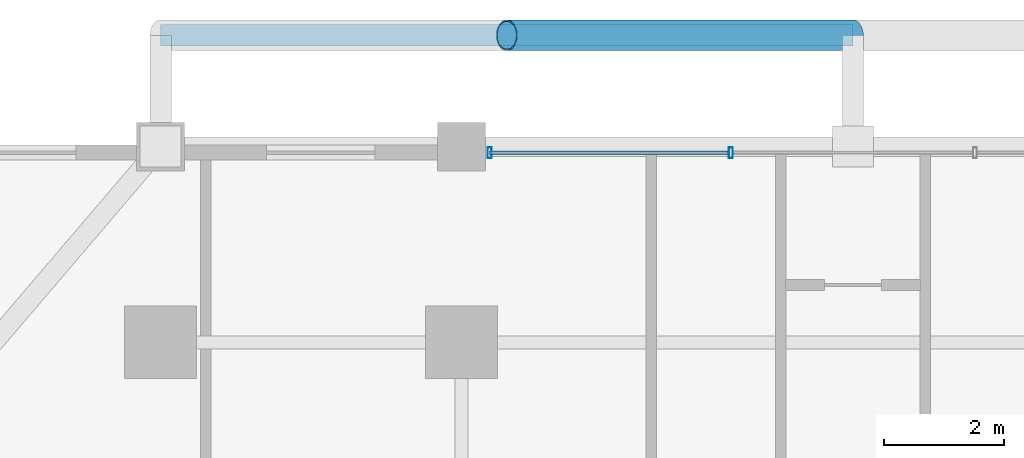
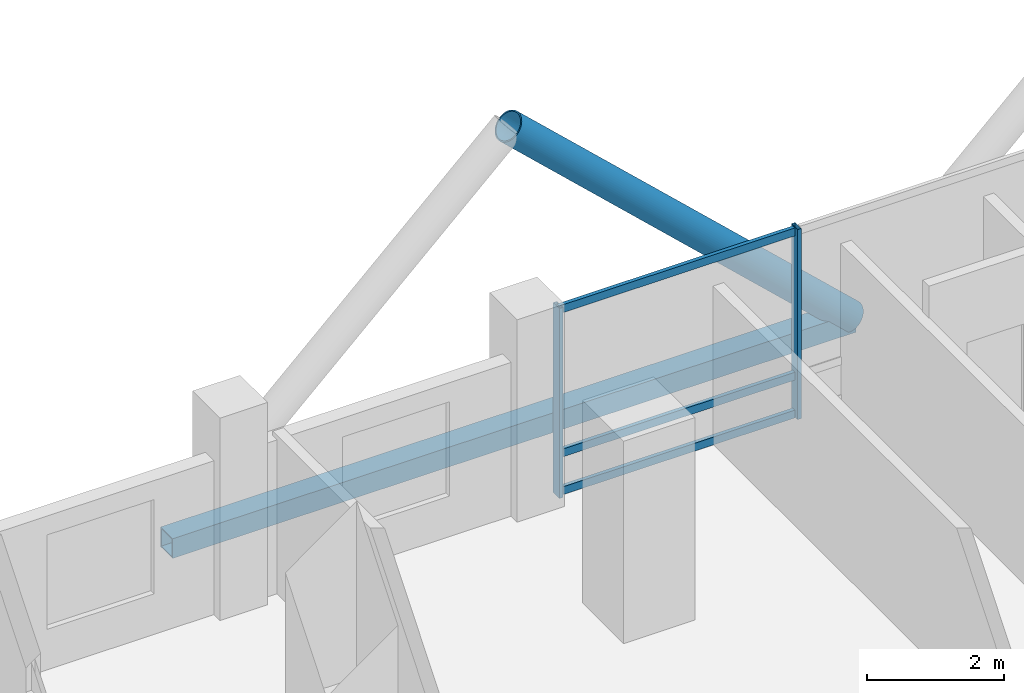
# One storey, part 14 of 24: 7 members, 1 element without a shape of its own.
"""IFC4 building model written with IfcOpenShell, lengths in metres."""

from ifc_helpers import new_model, si_unit, direction, frame, origin, origin_2d, place, context, subcontext, project, spatial, hollow_rectangle, hollow_circle, extrude, material, layer, layer_set, material_profile, profile_set, type_object, element, aggregate, save


model = new_model("IFC4")

# Units and contexts
model_context = context("Model", 3, precision=1e-05, world=origin(), true_north=direction((0.0, 1.0)))
body_context = subcontext(model_context, "Body", "Model", "MODEL_VIEW")
ifc_project = project(units=[si_unit("LENGTHUNIT", "METRE"), si_unit("AREAUNIT", "SQUARE_METRE"), si_unit("VOLUMEUNIT", "CUBIC_METRE"), si_unit("PLANEANGLEUNIT", "RADIAN"), si_unit("MASSUNIT", "GRAM", prefix="KILO")], contexts=[model_context])

# Site, building, storey
site_placement = place(None, origin())
site = spatial("IfcSite", under=ifc_project, at=site_placement, CompositionType="ELEMENT")
building_placement = place(site_placement, origin())
building = spatial("IfcBuilding", under=site, at=building_placement, Name="Barlavira Tower and Art Museum", CompositionType="ELEMENT")
storey_placement = place(building_placement, frame((0.0, 0.0, 154.800048828125)))
storey = spatial("IfcBuildingStorey", under=building, at=storey_placement, Name="L39", CompositionType="ELEMENT", Elevation=154.800048828125)

# Curtain wall, members
ifc_material_1 = material(Name="Low-iron coastal laminated glass", Category="glass")
ifc_layer = layer(ifc_material_1, 0.18994140625, Name="Low-iron coastal laminated glass")
ifc_layer_set = layer_set([ifc_layer], Name="Low-iron coastal laminated glass")
curtain_wall_type = type_object("IfcCurtainWallType", Name="Pale-Metal Unitised Curtain Wall Zone 2", PredefinedType="NOTDEFINED", material=ifc_layer_set)
curtain_wall_placement = place(storey_placement, origin())
curtain_wall = element("IfcCurtainWall", 1, at=curtain_wall_placement, inside=storey, type_object=curtain_wall_type, Name="L39 Curtain Wall CW2-L39-N-B3", PredefinedType="NOTDEFINED")
ifc_material_2 = material(Name="Pale anodised aluminium", Category="aluminium")
ifc_material_profile_1 = material_profile(ifc_material_2, hollow_rectangle(XDim=0.06494140625, YDim=0.179931640625, WallThickness=0.00390625, at=origin_2d()), Name="ALU-MULL 65x180x4")
ifc_profile_set_1 = profile_set([ifc_material_profile_1], Name="Pale anodised aluminium")
member_type_1 = type_object("IfcMemberType", Name="Curtain Wall Pale-Metal Mullion 65x180", PredefinedType="MULLION", material=ifc_profile_set_1)
member_1_placement = place(storey_placement, frame((-2.026611328125, 23.14990234375, 0.0), z_axis=(0.0, 0.0, 1.0), x_axis=(-1.0, 0.0, 0.0)))
member_1 = element("IfcMember", 2, at=member_1_placement, type_object=member_type_1, Name="CW2-L39-N-B3 Mullion 2", PredefinedType="MULLION", context=body_context, shape_type="SweptSolid", body=[
    extrude(hollow_rectangle(XDim=0.06494140625, YDim=0.179931640625, WallThickness=0.00390625, at=origin_2d()), origin(), (0.0, 0.0, 1.0), 3.3798828125),
])
member_2_placement = place(storey_placement, frame((-6.034912109375, 23.14990234375, 0.0), z_axis=(0.0, 0.0, 1.0), x_axis=(-1.0, 0.0, 0.0)))
member_2 = element("IfcMember", 3, at=member_2_placement, type_object=member_type_1, Name="CW2-L39-N-B3 Mullion 3", PredefinedType="MULLION", context=body_context, shape_type="SweptSolid", body=[
    extrude(hollow_rectangle(XDim=0.06494140625, YDim=0.179931640625, WallThickness=0.00390625, at=origin_2d()), origin(), (0.0, 0.0, 1.0), 3.3798828125),
])
ifc_material_profile_2 = material_profile(ifc_material_2, hollow_rectangle(XDim=0.06494140625, YDim=0.139892578125, WallThickness=0.00390625, at=origin_2d()), Name="ALU-TRAN 65x140x4")
ifc_profile_set_2 = profile_set([ifc_material_profile_2], Name="Pale anodised aluminium")
member_type_2 = type_object("IfcMemberType", Name="Curtain Wall Pale-Metal Transom 65x140", PredefinedType="USERDEFINED", material=ifc_profile_set_2)
member_3_placement = place(storey_placement, frame((-2.07177734375, 23.14990234375, 0.070068359375), z_axis=(-1.0, 0.0, 0.0), x_axis=(0.0, -1.0, 0.0)))
member_3 = element("IfcMember", 4, at=member_3_placement, type_object=member_type_2, Name="CW2-L39-N-B3 Transom 2.1", ObjectType="TRANSOM", PredefinedType="USERDEFINED", context=body_context, shape_type="SweptSolid", body=[
    extrude(hollow_rectangle(XDim=0.06494140625, YDim=0.139892578125, WallThickness=0.00390625, at=origin_2d()), origin(), (0.0, 0.0, 1.0), 3.963134765625),
])
member_4_placement = place(storey_placement, frame((-2.07177734375, 23.14990234375, 0.743896484375), z_axis=(-1.0, 0.0, 0.0), x_axis=(0.0, -1.0, 0.0)))
member_4 = element("IfcMember", 5, at=member_4_placement, type_object=member_type_2, Name="CW2-L39-N-B3 Transom 2.2", ObjectType="TRANSOM", PredefinedType="USERDEFINED", context=body_context, shape_type="SweptSolid", body=[
    extrude(hollow_rectangle(XDim=0.06494140625, YDim=0.139892578125, WallThickness=0.00390625, at=origin_2d()), origin(), (0.0, 0.0, 1.0), 3.963134765625),
])
member_5_placement = place(storey_placement, frame((-2.07177734375, 23.14990234375, 3.31005859375), z_axis=(-1.0, 0.0, 0.0), x_axis=(0.0, -1.0, 0.0)))
member_5 = element("IfcMember", 6, at=member_5_placement, type_object=member_type_2, Name="CW2-L39-N-B3 Transom 2.3", ObjectType="TRANSOM", PredefinedType="USERDEFINED", context=body_context, shape_type="SweptSolid", body=[
    extrude(hollow_rectangle(XDim=0.06494140625, YDim=0.139892578125, WallThickness=0.00390625, at=origin_2d()), origin(), (0.0, 0.0, 1.0), 3.963134765625),
])
aggregate(curtain_wall, [member_1, member_2, member_3, member_4, member_5])

# Members
ifc_material_3 = material(Name="Steel S355", Category="steel")
ifc_material_profile_3 = material_profile(ifc_material_3, hollow_circle(Radius=0.25390625, WallThickness=0.022216796875, at=origin_2d()), Name="CHS 508.0x22.2")
ifc_profile_set_3 = profile_set([ifc_material_profile_3], Name="Steel S355")
member_type_3 = type_object("IfcMemberType", Name="Pale-Metal Exoskeleton Diagrid Tube CHS 508x22 Steel S355", PredefinedType="BRACE", material=ifc_profile_set_3)
member_6_placement = place(storey_placement, frame((0.0, 25.10009765625, -0.1201171875), z_axis=(-0.728934650808, 0.0, 0.684583285548), x_axis=(0.0, -1.0, 0.0)))
element("IfcMember", 7, at=member_6_placement, inside=storey, type_object=member_type_3, Name="L39 Exoskeleton Diagrid Tube N", PredefinedType="BRACE", context=body_context, shape_type="SweptSolid", body=[
    extrude(hollow_circle(Radius=0.25390625, WallThickness=0.022216796875, at=origin_2d()), origin(), (0.0, 0.0, 1.0), 7.88818359375),
])
ifc_material_profile_4 = material_profile(ifc_material_3, hollow_rectangle(XDim=0.35009765625, YDim=0.35009765625, WallThickness=0.02001953125, at=origin_2d()), Name="SHS 350x350x20.0")
ifc_profile_set_4 = profile_set([ifc_material_profile_4], Name="Steel S355")
member_type_4 = type_object("IfcMemberType", Name="Pale-Metal Exoskeleton Ring Strut SHS 350x350x20 Steel S355", PredefinedType="STRUT", material=ifc_profile_set_4)
member_7_placement = place(storey_placement, frame((-11.5, 25.10009765625, -0.1201171875), z_axis=(1.0, 0.0, 0.0), x_axis=(0.0, 1.0, 0.0)))
element("IfcMember", 8, at=member_7_placement, inside=storey, type_object=member_type_4, Name="L39 Exoskeleton Ring Strut N", PredefinedType="STRUT", context=body_context, shape_type="SweptSolid", body=[
    extrude(hollow_rectangle(XDim=0.35009765625, YDim=0.35009765625, WallThickness=0.02001953125, at=origin_2d()), origin(), (0.0, 0.0, 1.0), 11.5),
])

save(model, "model.ifc")
